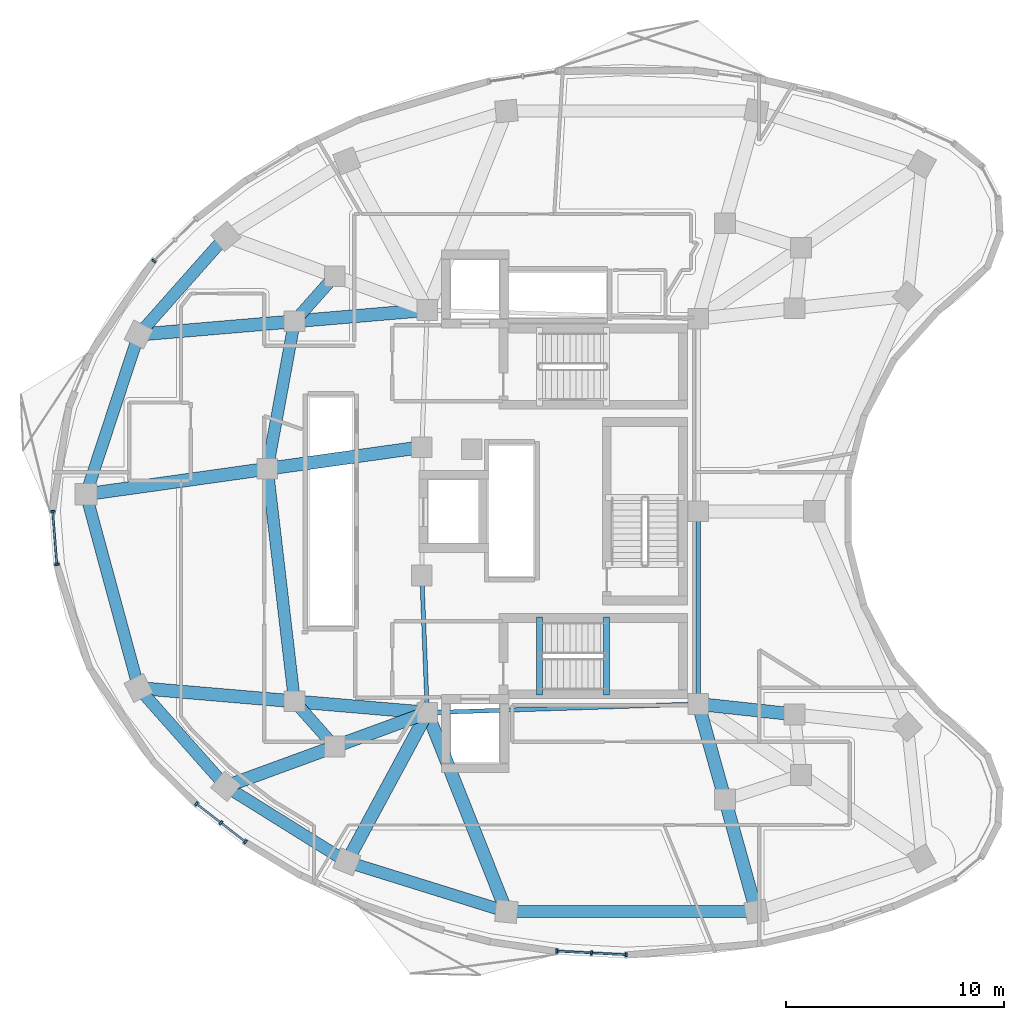
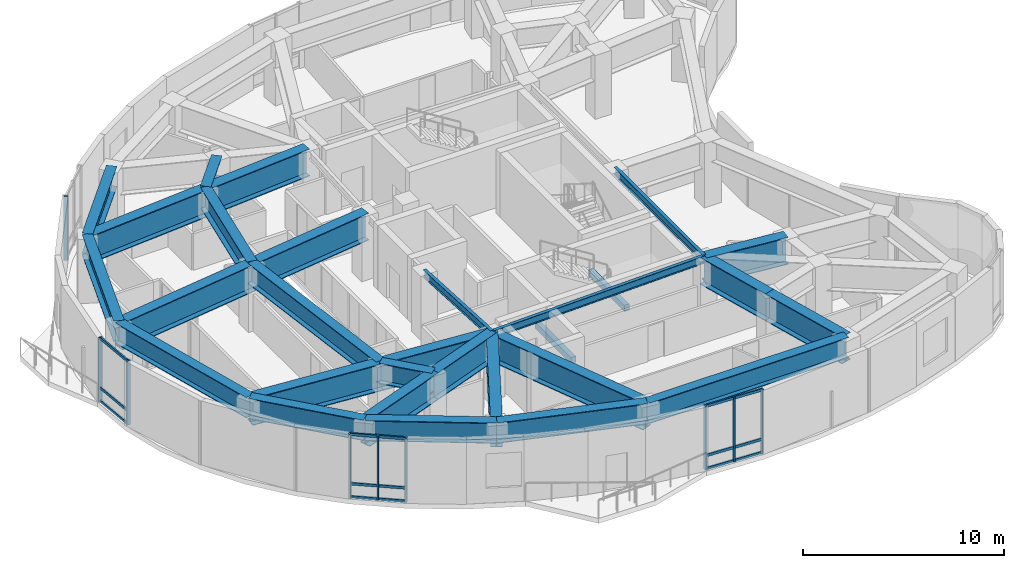
# One storey, part 2 of 12: 29 beams, 24 members, 4 elements without a shape of their own.
"""IFC4 building model written with IfcOpenShell, lengths in metres."""

from ifc_helpers import new_model, si_unit, direction, frame, origin, origin_2d, place, context, subcontext, project, spatial, rectangle, i_section, extrude, material, layer, layer_set, material_profile, profile_set, type_object, element, aggregate, save


model = new_model("IFC4")

# Units and contexts
model_context = context("Model", 3, precision=1e-05, world=origin(), true_north=direction((0.0, 1.0)))
body_context = subcontext(model_context, "Body", "Model", "MODEL_VIEW")
ifc_project = project(units=[si_unit("LENGTHUNIT", "METRE"), si_unit("AREAUNIT", "SQUARE_METRE"), si_unit("VOLUMEUNIT", "CUBIC_METRE"), si_unit("PLANEANGLEUNIT", "RADIAN"), si_unit("MASSUNIT", "GRAM", prefix="KILO")], contexts=[model_context])

# Site, building, storey
site_placement = place(None, origin())
site = spatial("IfcSite", under=ifc_project, at=site_placement, CompositionType="ELEMENT")
building_placement = place(site_placement, origin())
building = spatial("IfcBuilding", under=site, at=building_placement, Name="Korentha Bioscience Tower", CompositionType="ELEMENT")
storey_placement = place(building_placement, frame((0.0, 0.0, 196.199951171875)))
storey = spatial("IfcBuildingStorey", under=building, at=storey_placement, Name="L45", CompositionType="ELEMENT", Elevation=196.199951171875)

# Beams
ifc_material_1 = material(Name="Concrete C50", Category="concrete")
ifc_material_profile_1 = material_profile(ifc_material_1, rectangle(XDim=0.280029296875, YDim=0.3798828125, at=origin_2d()), Name="Concrete C50")
ifc_profile_set_1 = profile_set([ifc_material_profile_1], Name="Concrete C50 (ST-HB380)")
beam_type_1 = type_object("IfcBeamType", Name="Concrete Stair Header Beam RC 280x380", PredefinedType="BEAM", material=ifc_profile_set_1)
for number, where, z_axis, x_axis, name in (
    (1, (30.25, 18.550048828125, -0.18994140625), (0.0, 1.0, 0.0), (-1.0, 0.0, 0.0), "L45 ST-2 Concrete Stair Header Beam"),
    (2, (33.330078125, 18.550048828125, 1.91015625), (0.0, 1.0, 0.0), (-1.0, 0.0, 0.0), "L45 ST-2 Half-Landing Header Beam 1"),
):
    element("IfcBeam", number, at=place(storey_placement, frame(where, z_axis=z_axis, x_axis=x_axis)), inside=storey, type_object=beam_type_1, Name=name, PredefinedType="BEAM", context=body_context, shape_type="SweptSolid", body=[
        extrude(rectangle(XDim=0.280029296875, YDim=0.3798828125, at=origin_2d()), origin(), (0.0, 0.0, 1.0), 3.599853515625),
    ])
ifc_material_2 = material(Name="Steel S355", Category="steel")
ifc_material_profile_2 = material_profile(ifc_material_2, i_section(OverallWidth=0.550048828125, OverallDepth=1.25, WebThickness=0.02392578125, FlangeThickness=0.0400390625, at=origin_2d()), Name="Steel S355")
ifc_profile_set_2 = profile_set([ifc_material_profile_2], Name="Steel S355 (TG-03)")
beam_type_2 = type_object("IfcBeamType", Name="Crown Step Transfer Girder CVS 1250x510", PredefinedType="USERDEFINED", material=ifc_profile_set_2)
beam_1_placement = place(storey_placement, frame((20.84228515625, 37.807861328125, 3.275146484375), z_axis=(-0.663512238321, -0.748165429299, 0.0), x_axis=(0.748165429299, -0.663512238321, 0.0)))
element("IfcBeam", 3, at=beam_1_placement, inside=storey, type_object=beam_type_2, Name="L45 Mid-Ring Tie Girder 05", ObjectType="TRANSFER_GIRDER", PredefinedType="USERDEFINED", context=body_context, shape_type="SweptSolid", body=[
    extrude(i_section(OverallWidth=0.550048828125, OverallDepth=1.25, WebThickness=0.02392578125, FlangeThickness=0.0400390625, at=origin_2d()), origin(), (0.0, 0.0, 1.0), 2.77734375),
])
beam_2_placement = place(storey_placement, frame((18.99951171875, 35.72998046875, 3.275146484375), z_axis=(-0.180880998363, -0.98350498953, 0.0), x_axis=(0.98350498953, -0.180880998363, 0.0)))
element("IfcBeam", 4, at=beam_2_placement, inside=storey, type_object=beam_type_2, Name="L45 Mid-Ring Tie Girder 06", ObjectType="TRANSFER_GIRDER", PredefinedType="USERDEFINED", context=body_context, shape_type="SweptSolid", body=[
    extrude(i_section(OverallWidth=0.550048828125, OverallDepth=1.25, WebThickness=0.02392578125, FlangeThickness=0.0400390625, at=origin_2d()), origin(), (0.0, 0.0, 1.0), 6.888916015625),
])
beam_3_placement = place(storey_placement, frame((17.75341796875, 28.95458984375, 3.275146484375), z_axis=(0.115840395246, -0.993267840428, 0.0), x_axis=(0.993267840428, 0.115840395246, 0.0)))
element("IfcBeam", 5, at=beam_3_placement, inside=storey, type_object=beam_type_2, Name="L45 Mid-Ring Tie Girder 07", ObjectType="TRANSFER_GIRDER", PredefinedType="USERDEFINED", context=body_context, shape_type="SweptSolid", body=[
    extrude(i_section(OverallWidth=0.550048828125, OverallDepth=1.25, WebThickness=0.02392578125, FlangeThickness=0.0400390625, at=origin_2d()), origin(), (0.0, 0.0, 1.0), 10.757080078125),
])
beam_4_placement = place(storey_placement, frame((18.99951171875, 18.27001953125, 3.275146484375), z_axis=(0.663512238321, -0.748165429299, 0.0), x_axis=(0.748165429299, 0.663512238321, 0.0)))
element("IfcBeam", 6, at=beam_4_placement, inside=storey, type_object=beam_type_2, Name="L45 Mid-Ring Tie Girder 08", ObjectType="TRANSFER_GIRDER", PredefinedType="USERDEFINED", context=body_context, shape_type="SweptSolid", body=[
    extrude(i_section(OverallWidth=0.550048828125, OverallDepth=1.25, WebThickness=0.02392578125, FlangeThickness=0.0400390625, at=origin_2d()), origin(), (0.0, 0.0, 1.0), 2.77734375),
])
beam_5_placement = place(storey_placement, frame((15.843994140625, 39.63671875, 3.275146484375), z_axis=(-0.663502544942, -0.748174025782, 0.0), x_axis=(0.748174025782, -0.663502544942, 0.0)))
element("IfcBeam", 7, at=beam_5_placement, inside=storey, type_object=beam_type_2, Name="L45 Perimeter Spandrel Girder 05", ObjectType="TRANSFER_GIRDER", PredefinedType="USERDEFINED", context=body_context, shape_type="SweptSolid", body=[
    extrude(i_section(OverallWidth=0.550048828125, OverallDepth=1.25, WebThickness=0.02392578125, FlangeThickness=0.0400390625, at=origin_2d()), origin(), (0.0, 0.0, 1.0), 6.037841796875),
])
beam_6_placement = place(storey_placement, frame((11.837890625, 35.119384765625, 3.275146484375), z_axis=(-0.312820215824, -0.949812356506, 0.0), x_axis=(0.949812356506, -0.312820215824, 0.0)))
element("IfcBeam", 8, at=beam_6_placement, inside=storey, type_object=beam_type_2, Name="L45 Perimeter Spandrel Girder 06", ObjectType="TRANSFER_GIRDER", PredefinedType="USERDEFINED", context=body_context, shape_type="SweptSolid", body=[
    extrude(i_section(OverallWidth=0.550048828125, OverallDepth=1.25, WebThickness=0.02392578125, FlangeThickness=0.0400390625, at=origin_2d()), origin(), (0.0, 0.0, 1.0), 7.720947265625),
])
beam_7_placement = place(storey_placement, frame((9.422607421875, 27.785888671875, 3.275146484375), z_axis=(0.261762629829, -0.965132284003, 0.0), x_axis=(0.965132284003, 0.261762629829, 0.0)))
element("IfcBeam", 9, at=beam_7_placement, inside=storey, type_object=beam_type_2, Name="L45 Perimeter Spandrel Girder 07", ObjectType="TRANSFER_GIRDER", PredefinedType="USERDEFINED", context=body_context, shape_type="SweptSolid", body=[
    extrude(i_section(OverallWidth=0.550048828125, OverallDepth=1.25, WebThickness=0.02392578125, FlangeThickness=0.0400390625, at=origin_2d()), origin(), (0.0, 0.0, 1.0), 9.22705078125),
])
beam_8_placement = place(storey_placement, frame((11.837890625, 18.880615234375, 3.275146484375), z_axis=(0.663502544942, -0.748174025782, 0.0), x_axis=(0.748174025782, 0.663502544942, 0.0)))
element("IfcBeam", 10, at=beam_8_placement, inside=storey, type_object=beam_type_2, Name="L45 Perimeter Spandrel Girder 08", ObjectType="TRANSFER_GIRDER", PredefinedType="USERDEFINED", context=body_context, shape_type="SweptSolid", body=[
    extrude(i_section(OverallWidth=0.550048828125, OverallDepth=1.25, WebThickness=0.02392578125, FlangeThickness=0.0400390625, at=origin_2d()), origin(), (0.0, 0.0, 1.0), 6.037841796875),
])
beam_9_placement = place(storey_placement, frame((15.843994140625, 14.36328125, 3.275146484375), z_axis=(0.848675740059, -0.528913497876, 0.0), x_axis=(0.528913497876, 0.848675740059, 0.0)))
element("IfcBeam", 11, at=beam_9_placement, inside=storey, type_object=beam_type_2, Name="L45 Perimeter Spandrel Girder 09", ObjectType="TRANSFER_GIRDER", PredefinedType="USERDEFINED", context=body_context, shape_type="SweptSolid", body=[
    extrude(i_section(OverallWidth=0.550048828125, OverallDepth=1.25, WebThickness=0.02392578125, FlangeThickness=0.0400390625, at=origin_2d()), origin(), (0.0, 0.0, 1.0), 6.55322265625),
])
beam_10_placement = place(storey_placement, frame((21.405517578125, 10.897216796875, 3.275146484375), z_axis=(0.954638172607, -0.29776829818, 0.0), x_axis=(0.29776829818, 0.954638172607, 0.0)))
element("IfcBeam", 12, at=beam_10_placement, inside=storey, type_object=beam_type_2, Name="L45 Perimeter Spandrel Girder 10", ObjectType="TRANSFER_GIRDER", PredefinedType="USERDEFINED", context=body_context, shape_type="SweptSolid", body=[
    extrude(i_section(OverallWidth=0.550048828125, OverallDepth=1.25, WebThickness=0.02392578125, FlangeThickness=0.0400390625, at=origin_2d()), origin(), (0.0, 0.0, 1.0), 7.682373046875),
])
beam_11_placement = place(storey_placement, frame((28.739501953125, 8.609619140625, 3.275146484375), z_axis=(0.99999988041, -0.000489059883, 0.0), x_axis=(0.000489059883, 0.99999988041, 0.0)))
element("IfcBeam", 13, at=beam_11_placement, inside=storey, type_object=beam_type_2, Name="L45 Perimeter Spandrel Girder 11", ObjectType="TRANSFER_GIRDER", PredefinedType="USERDEFINED", context=body_context, shape_type="SweptSolid", body=[
    extrude(i_section(OverallWidth=0.550048828125, OverallDepth=1.25, WebThickness=0.02392578125, FlangeThickness=0.0400390625, at=origin_2d()), origin(), (0.0, 0.0, 1.0), 11.481689453125),
])
ifc_material_profile_3 = material_profile(ifc_material_2, i_section(OverallWidth=0.60009765625, OverallDepth=1.64990234375, WebThickness=0.02587890625, FlangeThickness=0.0439453125, at=origin_2d()), Name="Steel S355")
ifc_profile_set_3 = profile_set([ifc_material_profile_3], Name="Steel S355 (TG-04)")
beam_type_3 = type_object("IfcBeamType", Name="Deep Setback Transfer Girder CVS 1650x620", PredefinedType="USERDEFINED", material=ifc_profile_set_3)
beam_12_placement = place(storey_placement, frame((25.10009765625, 36.25, 3.074951171875), z_axis=(-0.996386672138, -0.084932912264, 0.0), x_axis=(0.084932912264, -0.996386672138, 0.0)))
element("IfcBeam", 14, at=beam_12_placement, inside=storey, type_object=beam_type_3, Name="L45 Inner Radial Transfer Girder 06", ObjectType="TRANSFER_GIRDER", PredefinedType="USERDEFINED", context=body_context, shape_type="SweptSolid", body=[
    extrude(i_section(OverallWidth=0.60009765625, OverallDepth=1.64990234375, WebThickness=0.02587890625, FlangeThickness=0.0439453125, at=origin_2d()), origin(), (0.0, 0.0, 1.0), 6.122802734375),
])
beam_13_placement = place(storey_placement, frame((18.99951171875, 35.72998046875, 3.074951171875), z_axis=(-0.996385111181, -0.084951222577, 0.0), x_axis=(0.084951222577, -0.996385111181, 0.0)))
element("IfcBeam", 15, at=beam_13_placement, inside=storey, type_object=beam_type_3, Name="L45 Outer Radial Transfer Girder 06", ObjectType="TRANSFER_GIRDER", PredefinedType="USERDEFINED", context=body_context, shape_type="SweptSolid", body=[
    extrude(i_section(OverallWidth=0.60009765625, OverallDepth=1.64990234375, WebThickness=0.02587890625, FlangeThickness=0.0439453125, at=origin_2d()), origin(), (0.0, 0.0, 1.0), 7.1875),
])
beam_14_placement = place(storey_placement, frame((24.85009765625, 29.949951171875, 3.074951171875), z_axis=(-0.990306724295, -0.138897774699, 0.0), x_axis=(0.138897774699, -0.990306724295, 0.0)))
element("IfcBeam", 16, at=beam_14_placement, inside=storey, type_object=beam_type_3, Name="L45 Inner Radial Transfer Girder 07", ObjectType="TRANSFER_GIRDER", PredefinedType="USERDEFINED", context=body_context, shape_type="SweptSolid", body=[
    extrude(i_section(OverallWidth=0.60009765625, OverallDepth=1.64990234375, WebThickness=0.02587890625, FlangeThickness=0.0439453125, at=origin_2d()), origin(), (0.0, 0.0, 1.0), 7.166259765625),
])
beam_15_placement = place(storey_placement, frame((17.75341796875, 28.95458984375, 3.074951171875), z_axis=(-0.990302735089, -0.138926213782, 0.0), x_axis=(0.138926213782, -0.990302735089, 0.0)))
element("IfcBeam", 17, at=beam_15_placement, inside=storey, type_object=beam_type_3, Name="L45 Outer Radial Transfer Girder 07", ObjectType="TRANSFER_GIRDER", PredefinedType="USERDEFINED", context=body_context, shape_type="SweptSolid", body=[
    extrude(i_section(OverallWidth=0.60009765625, OverallDepth=1.64990234375, WebThickness=0.02587890625, FlangeThickness=0.0439453125, at=origin_2d()), origin(), (0.0, 0.0, 1.0), 8.412353515625),
])
beam_16_placement = place(storey_placement, frame((25.10009765625, 17.75, 3.074951171875), z_axis=(-0.996386672138, 0.084932912264, 0.0), x_axis=(-0.084932912264, -0.996386672138, 0.0)))
element("IfcBeam", 18, at=beam_16_placement, inside=storey, type_object=beam_type_3, Name="L45 Inner Radial Transfer Girder 08", ObjectType="TRANSFER_GIRDER", PredefinedType="USERDEFINED", context=body_context, shape_type="SweptSolid", body=[
    extrude(i_section(OverallWidth=0.60009765625, OverallDepth=1.64990234375, WebThickness=0.02587890625, FlangeThickness=0.0439453125, at=origin_2d()), origin(), (0.0, 0.0, 1.0), 6.122802734375),
])
beam_17_placement = place(storey_placement, frame((18.99951171875, 18.27001953125, 3.074951171875), z_axis=(-0.996385111181, 0.084951222577, 0.0), x_axis=(-0.084951222577, -0.996385111181, 0.0)))
element("IfcBeam", 19, at=beam_17_placement, inside=storey, type_object=beam_type_3, Name="L45 Outer Radial Transfer Girder 08", ObjectType="TRANSFER_GIRDER", PredefinedType="USERDEFINED", context=body_context, shape_type="SweptSolid", body=[
    extrude(i_section(OverallWidth=0.60009765625, OverallDepth=1.64990234375, WebThickness=0.02587890625, FlangeThickness=0.0439453125, at=origin_2d()), origin(), (0.0, 0.0, 1.0), 7.1875),
])
beam_18_placement = place(storey_placement, frame((25.10009765625, 17.75, 3.074951171875), z_axis=(-0.939113952431, -0.343605856105, 0.0), x_axis=(0.343605856105, -0.939113952431, 0.0)))
element("IfcBeam", 20, at=beam_18_placement, inside=storey, type_object=beam_type_3, Name="L45 Inner Radial Transfer Girder 09", ObjectType="TRANSFER_GIRDER", PredefinedType="USERDEFINED", context=body_context, shape_type="SweptSolid", body=[
    extrude(i_section(OverallWidth=0.60009765625, OverallDepth=1.64990234375, WebThickness=0.02587890625, FlangeThickness=0.0439453125, at=origin_2d()), origin(), (0.0, 0.0, 1.0), 4.533935546875),
])
beam_19_placement = place(storey_placement, frame((20.84228515625, 16.192138671875, 3.074951171875), z_axis=(-0.939109855566, -0.343617053097, 0.0), x_axis=(0.343617053097, -0.939109855566, 0.0)))
element("IfcBeam", 21, at=beam_19_placement, inside=storey, type_object=beam_type_3, Name="L45 Outer Radial Transfer Girder 09", ObjectType="TRANSFER_GIRDER", PredefinedType="USERDEFINED", context=body_context, shape_type="SweptSolid", body=[
    extrude(i_section(OverallWidth=0.60009765625, OverallDepth=1.64990234375, WebThickness=0.02587890625, FlangeThickness=0.0439453125, at=origin_2d()), origin(), (0.0, 0.0, 1.0), 5.322265625),
])
beam_20_placement = place(storey_placement, frame((25.10009765625, 17.75, 3.074951171875), z_axis=(-0.474559790141, -0.880223270302, 0.0), x_axis=(0.880223270302, -0.474559790141, 0.0)))
element("IfcBeam", 22, at=beam_20_placement, inside=storey, type_object=beam_type_3, Name="L45 Radial Transfer Girder 10", ObjectType="TRANSFER_GIRDER", PredefinedType="USERDEFINED", context=body_context, shape_type="SweptSolid", body=[
    extrude(i_section(OverallWidth=0.60009765625, OverallDepth=1.64990234375, WebThickness=0.02587890625, FlangeThickness=0.0439453125, at=origin_2d()), origin(), (0.0, 0.0, 1.0), 7.785400390625),
])
beam_21_placement = place(storey_placement, frame((25.10009765625, 17.75, 3.074951171875), z_axis=(0.369922682955, -0.929062542909, 0.0), x_axis=(0.929062542909, 0.369922682955, 0.0)))
element("IfcBeam", 23, at=beam_21_placement, inside=storey, type_object=beam_type_3, Name="L45 Radial Transfer Girder 11", ObjectType="TRANSFER_GIRDER", PredefinedType="USERDEFINED", context=body_context, shape_type="SweptSolid", body=[
    extrude(i_section(OverallWidth=0.60009765625, OverallDepth=1.64990234375, WebThickness=0.02587890625, FlangeThickness=0.0439453125, at=origin_2d()), origin(), (0.0, 0.0, 1.0), 9.83837890625),
])
beam_22_placement = place(storey_placement, frame((37.550048828125, 18.14990234375, 3.074951171875), z_axis=(0.269477001654, -0.963006825303, 0.0), x_axis=(0.963006825303, 0.269477001654, 0.0)))
element("IfcBeam", 24, at=beam_22_placement, inside=storey, type_object=beam_type_3, Name="L45 Inner Radial Transfer Girder 12", ObjectType="TRANSFER_GIRDER", PredefinedType="USERDEFINED", context=body_context, shape_type="SweptSolid", body=[
    extrude(i_section(OverallWidth=0.60009765625, OverallDepth=1.64990234375, WebThickness=0.02587890625, FlangeThickness=0.0439453125, at=origin_2d()), origin(), (0.0, 0.0, 1.0), 4.559814453125),
])
beam_23_placement = place(storey_placement, frame((38.77880859375, 13.7587890625, 3.074951171875), z_axis=(0.269464128344, -0.963010427532, 0.0), x_axis=(0.963010427532, 0.269464128344, 0.0)))
element("IfcBeam", 25, at=beam_23_placement, inside=storey, type_object=beam_type_3, Name="L45 Outer Radial Transfer Girder 12", ObjectType="TRANSFER_GIRDER", PredefinedType="USERDEFINED", context=body_context, shape_type="SweptSolid", body=[
    extrude(i_section(OverallWidth=0.60009765625, OverallDepth=1.64990234375, WebThickness=0.02587890625, FlangeThickness=0.0439453125, at=origin_2d()), origin(), (0.0, 0.0, 1.0), 5.352783203125),
])
beam_24_placement = place(storey_placement, frame((37.550048828125, 18.14990234375, 3.074951171875), z_axis=(0.994118939953, -0.108293735857, 0.0), x_axis=(0.108293735857, 0.994118939953, 0.0)))
element("IfcBeam", 26, at=beam_24_placement, inside=storey, type_object=beam_type_3, Name="L45 Inner Radial Transfer Girder 14", ObjectType="TRANSFER_GIRDER", PredefinedType="USERDEFINED", context=body_context, shape_type="SweptSolid", body=[
    extrude(i_section(OverallWidth=0.60009765625, OverallDepth=1.64990234375, WebThickness=0.02587890625, FlangeThickness=0.0439453125, at=origin_2d()), origin(), (0.0, 0.0, 1.0), 4.4501953125),
])
ifc_material_profile_4 = material_profile(ifc_material_2, i_section(OverallWidth=0.18994140625, OverallDepth=0.45703125, WebThickness=0.009033203125, FlangeThickness=0.014404296875, at=origin_2d()), Name="Steel S355")
ifc_profile_set_4 = profile_set([ifc_material_profile_4], Name="Steel S355 (MB-460)")
beam_type_4 = type_object("IfcBeamType", Name="Mid-Ring Tie Girder W460x74", PredefinedType="BEAM", material=ifc_profile_set_4)
beam_25_placement = place(storey_placement, frame((24.85009765625, 24.050048828125, 3.671630859375), z_axis=(0.039651025576, -0.999213588864, 0.0), x_axis=(0.999213588864, 0.039651025576, 0.0)))
element("IfcBeam", 27, at=beam_25_placement, inside=storey, type_object=beam_type_4, Name="L45 Core Ring Tie Girder 04", PredefinedType="BEAM", context=body_context, shape_type="SweptSolid", body=[
    extrude(i_section(OverallWidth=0.18994140625, OverallDepth=0.45703125, WebThickness=0.009033203125, FlangeThickness=0.014404296875, at=origin_2d()), origin(), (0.0, 0.0, 1.0), 6.304931640625),
])
beam_26_placement = place(storey_placement, frame((25.10009765625, 17.75, 3.671630859375), z_axis=(0.999484526071, 0.032104238723, 0.0), x_axis=(-0.032104238723, 0.999484526071, 0.0)))
element("IfcBeam", 28, at=beam_26_placement, inside=storey, type_object=beam_type_4, Name="L45 Core Ring Tie Girder 05", PredefinedType="BEAM", context=body_context, shape_type="SweptSolid", body=[
    extrude(i_section(OverallWidth=0.18994140625, OverallDepth=0.45703125, WebThickness=0.009033203125, FlangeThickness=0.014404296875, at=origin_2d()), origin(), (0.0, 0.0, 1.0), 12.456298828125),
])
beam_27_placement = place(storey_placement, frame((37.550048828125, 18.14990234375, 3.671630859375), z_axis=(0.0, 1.0, 0.0), x_axis=(-1.0, 0.0, 0.0)))
element("IfcBeam", 29, at=beam_27_placement, inside=storey, type_object=beam_type_4, Name="L45 Core Ring Tie Girder 06", PredefinedType="BEAM", context=body_context, shape_type="SweptSolid", body=[
    extrude(i_section(OverallWidth=0.18994140625, OverallDepth=0.45703125, WebThickness=0.009033203125, FlangeThickness=0.014404296875, at=origin_2d()), origin(), (0.0, 0.0, 1.0), 8.85009765625),
])

# Curtain wall, member
ifc_material_3 = material(Name="Thermally Broken Aluminium Frame", Category="aluminium")
ifc_layer = layer(ifc_material_3, 0.219970703125, Name="Thermally Broken Aluminium Frame")
ifc_layer_set = layer_set([ifc_layer], Name="Thermally Broken Aluminium Frame (CW-T1)")
curtain_wall_type = type_object("IfcCurtainWallType", Name="Standard Bioscience Lab Unitised Curtain Wall CW-T1", PredefinedType="USERDEFINED", material=ifc_layer_set)
curtain_wall_1_placement = place(storey_placement, origin())
curtain_wall_1 = element("IfcCurtainWall", 30, at=curtain_wall_1_placement, inside=storey, type_object=curtain_wall_type, Name="L45 Curtain Wall 13", ObjectType="UNITISED", PredefinedType="USERDEFINED")
ifc_material_4 = material(Name="Anodised Aluminium 6063-T6", Category="aluminium")
ifc_material_profile_5 = material_profile(ifc_material_4, rectangle(XDim=0.090087890625, YDim=0.199951171875, at=origin_2d()), Name="Anodised Aluminium 6063-T6")
ifc_profile_set_5 = profile_set([ifc_material_profile_5], Name="Anodised Aluminium 6063-T6 (CW-MUL)")
member_type_1 = type_object("IfcMemberType", Name="Mullion RECT 90x200", PredefinedType="MULLION", material=ifc_profile_set_5)
member_1_placement = place(storey_placement, frame((12.53515625, 38.502685546875, 0.0), z_axis=(0.0, 0.0, 1.0), x_axis=(-0.711460557971, -0.702726030862, 0.0)))
member_1 = element("IfcMember", 31, at=member_1_placement, type_object=member_type_1, Name="CW-L45-13 Mullion 3", PredefinedType="MULLION", context=body_context, shape_type="SweptSolid", body=[
    extrude(rectangle(XDim=0.090087890625, YDim=0.199951171875, at=origin_2d()), origin(), (0.0, 0.0, 1.0), 3.900146484375),
])
aggregate(curtain_wall_1, [member_1])

# Curtain wall, members
curtain_wall_2_placement = place(storey_placement, origin())
curtain_wall_2 = element("IfcCurtainWall", 32, at=curtain_wall_2_placement, inside=storey, type_object=curtain_wall_type, Name="L45 Curtain Wall 19", ObjectType="UNITISED", PredefinedType="USERDEFINED")
member_2_placement = place(storey_placement, frame((7.89599609375, 27.007568359375, 0.0), z_axis=(0.0, 0.0, 1.0), x_axis=(0.078030772566, -0.996950950916, 0.0)))
member_2 = element("IfcMember", 33, at=member_2_placement, type_object=member_type_1, Name="CW-L45-19 Mullion 1", PredefinedType="MULLION", context=body_context, shape_type="SweptSolid", body=[
    extrude(rectangle(XDim=0.090087890625, YDim=0.199951171875, at=origin_2d()), origin(), (0.0, 0.0, 1.0), 3.900146484375),
])
member_3_placement = place(storey_placement, frame((8.087890625, 24.5546875, 0.0), z_axis=(0.0, 0.0, 1.0), x_axis=(0.078030772566, -0.996950950916, 0.0)))
member_3 = element("IfcMember", 34, at=member_3_placement, type_object=member_type_1, Name="CW-L45-19 Mullion 2", PredefinedType="MULLION", context=body_context, shape_type="SweptSolid", body=[
    extrude(rectangle(XDim=0.090087890625, YDim=0.199951171875, at=origin_2d()), origin(), (0.0, 0.0, 1.0), 3.900146484375),
])

curtain_wall_3_placement = place(storey_placement, origin())
curtain_wall_3 = element("IfcCurtainWall", 35, at=curtain_wall_3_placement, inside=storey, type_object=curtain_wall_type, Name="L45 Curtain Wall 25", ObjectType="UNITISED", PredefinedType="USERDEFINED")
member_4_placement = place(storey_placement, frame((14.492431640625, 13.563232421875, 0.0), z_axis=(0.0, 0.0, 1.0), x_axis=(0.790546796919, -0.612401634454, 0.0)))
member_4 = element("IfcMember", 36, at=member_4_placement, type_object=member_type_1, Name="CW-L45-25 Mullion 1", PredefinedType="MULLION", context=body_context, shape_type="SweptSolid", body=[
    extrude(rectangle(XDim=0.090087890625, YDim=0.199951171875, at=origin_2d()), origin(), (0.0, 0.0, 1.0), 3.900146484375),
])
member_5_placement = place(storey_placement, frame((15.618896484375, 12.690673828125, 0.0), z_axis=(0.0, 0.0, 1.0), x_axis=(0.790546796919, -0.612401634454, 0.0)))
member_5 = element("IfcMember", 37, at=member_5_placement, type_object=member_type_1, Name="CW-L45-25 Mullion 2", PredefinedType="MULLION", context=body_context, shape_type="SweptSolid", body=[
    extrude(rectangle(XDim=0.090087890625, YDim=0.199951171875, at=origin_2d()), origin(), (0.0, 0.0, 1.0), 3.900146484375),
])
member_6_placement = place(storey_placement, frame((16.745361328125, 11.818115234375, 0.0), z_axis=(0.0, 0.0, 1.0), x_axis=(0.790546796919, -0.612401634454, 0.0)))
member_6 = element("IfcMember", 38, at=member_6_placement, type_object=member_type_1, Name="CW-L45-25 Mullion 3", PredefinedType="MULLION", context=body_context, shape_type="SweptSolid", body=[
    extrude(rectangle(XDim=0.090087890625, YDim=0.199951171875, at=origin_2d()), origin(), (0.0, 0.0, 1.0), 3.900146484375),
])

curtain_wall_4_placement = place(storey_placement, origin())
curtain_wall_4 = element("IfcCurtainWall", 39, at=curtain_wall_4_placement, inside=storey, type_object=curtain_wall_type, Name="L45 Curtain Wall 31", ObjectType="UNITISED", PredefinedType="USERDEFINED")
member_7_placement = place(storey_placement, frame((31.0517578125, 6.79541015625, 0.0), z_axis=(0.0, 0.0, 1.0), x_axis=(0.998637677307, -0.052180355139, 0.0)))
member_7 = element("IfcMember", 40, at=member_7_placement, type_object=member_type_1, Name="CW-L45-31 Mullion 1", PredefinedType="MULLION", context=body_context, shape_type="SweptSolid", body=[
    extrude(rectangle(XDim=0.090087890625, YDim=0.199951171875, at=origin_2d()), origin(), (0.0, 0.0, 1.0), 3.900146484375),
])
member_8_placement = place(storey_placement, frame((32.64794921875, 6.7119140625, 0.0), z_axis=(0.0, 0.0, 1.0), x_axis=(0.998637677307, -0.052180355139, 0.0)))
member_8 = element("IfcMember", 41, at=member_8_placement, type_object=member_type_1, Name="CW-L45-31 Mullion 2", PredefinedType="MULLION", context=body_context, shape_type="SweptSolid", body=[
    extrude(rectangle(XDim=0.090087890625, YDim=0.199951171875, at=origin_2d()), origin(), (0.0, 0.0, 1.0), 3.900146484375),
])
member_9_placement = place(storey_placement, frame((34.244140625, 6.628662109375, 0.0), z_axis=(0.0, 0.0, 1.0), x_axis=(0.998637677307, -0.052180355139, 0.0)))
member_9 = element("IfcMember", 42, at=member_9_placement, type_object=member_type_1, Name="CW-L45-31 Mullion 3", PredefinedType="MULLION", context=body_context, shape_type="SweptSolid", body=[
    extrude(rectangle(XDim=0.090087890625, YDim=0.199951171875, at=origin_2d()), origin(), (0.0, 0.0, 1.0), 3.900146484375),
])

# Member
ifc_material_profile_6 = material_profile(ifc_material_4, rectangle(XDim=0.090087890625, YDim=0.159912109375, at=origin_2d()), Name="Anodised Aluminium 6063-T6")
ifc_profile_set_6 = profile_set([ifc_material_profile_6], Name="Anodised Aluminium 6063-T6 (CW-TRN)")
member_type_2 = type_object("IfcMemberType", Name="Transom RECT 90x160", PredefinedType="USERDEFINED", material=ifc_profile_set_6)
member_10_placement = place(storey_placement, frame((7.8994140625, 26.962646484375, 0.045166015625), z_axis=(0.078074822466, -0.996947502177, 0.0), x_axis=(0.996947502177, 0.078074822466, 0.0)))
member_10 = element("IfcMember", 43, at=member_10_placement, type_object=member_type_2, Name="CW-L45-19 Bay 1 Transom 1", ObjectType="TRANSOM", PredefinedType="USERDEFINED", context=body_context, shape_type="SweptSolid", body=[
    extrude(rectangle(XDim=0.090087890625, YDim=0.159912109375, at=origin_2d()), origin(), (0.0, 0.0, 1.0), 2.370361328125),
])

member_11_placement = place(storey_placement, frame((7.8994140625, 26.962646484375, 0.85009765625), z_axis=(0.078074822466, -0.996947502177, 0.0), x_axis=(0.996947502177, 0.078074822466, 0.0)))
member_11 = element("IfcMember", 44, at=member_11_placement, type_object=member_type_2, Name="CW-L45-19 Bay 1 Transom 2", ObjectType="TRANSOM", PredefinedType="USERDEFINED", context=body_context, shape_type="SweptSolid", body=[
    extrude(rectangle(XDim=0.090087890625, YDim=0.159912109375, at=origin_2d()), origin(), (0.0, 0.0, 1.0), 2.370361328125),
])

member_12_placement = place(storey_placement, frame((7.8994140625, 26.962646484375, 3.85498046875), z_axis=(0.078074822466, -0.996947502177, 0.0), x_axis=(0.996947502177, 0.078074822466, 0.0)))
member_12 = element("IfcMember", 45, at=member_12_placement, type_object=member_type_2, Name="CW-L45-19 Bay 1 Transom 3", ObjectType="TRANSOM", PredefinedType="USERDEFINED", context=body_context, shape_type="SweptSolid", body=[
    extrude(rectangle(XDim=0.090087890625, YDim=0.159912109375, at=origin_2d()), origin(), (0.0, 0.0, 1.0), 2.370361328125),
])

aggregate(curtain_wall_2, [member_2, member_3, member_10, member_11, member_12])

member_13_placement = place(storey_placement, frame((14.528076171875, 13.535888671875, 0.045166015625), z_axis=(0.790463754503, -0.612508818563, 0.0), x_axis=(0.612508818563, 0.790463754503, 0.0)))
member_13 = element("IfcMember", 46, at=member_13_placement, type_object=member_type_2, Name="CW-L45-25 Bay 1 Transom 1", ObjectType="TRANSOM", PredefinedType="USERDEFINED", context=body_context, shape_type="SweptSolid", body=[
    extrude(rectangle(XDim=0.090087890625, YDim=0.159912109375, at=origin_2d()), origin(), (0.0, 0.0, 1.0), 1.3349609375),
])

member_14_placement = place(storey_placement, frame((14.528076171875, 13.535888671875, 0.85009765625), z_axis=(0.790463754503, -0.612508818563, 0.0), x_axis=(0.612508818563, 0.790463754503, 0.0)))
member_14 = element("IfcMember", 47, at=member_14_placement, type_object=member_type_2, Name="CW-L45-25 Bay 1 Transom 2", ObjectType="TRANSOM", PredefinedType="USERDEFINED", context=body_context, shape_type="SweptSolid", body=[
    extrude(rectangle(XDim=0.090087890625, YDim=0.159912109375, at=origin_2d()), origin(), (0.0, 0.0, 1.0), 1.3349609375),
])

member_15_placement = place(storey_placement, frame((14.528076171875, 13.535888671875, 3.85498046875), z_axis=(0.790463754503, -0.612508818563, 0.0), x_axis=(0.612508818563, 0.790463754503, 0.0)))
member_15 = element("IfcMember", 48, at=member_15_placement, type_object=member_type_2, Name="CW-L45-25 Bay 1 Transom 3", ObjectType="TRANSOM", PredefinedType="USERDEFINED", context=body_context, shape_type="SweptSolid", body=[
    extrude(rectangle(XDim=0.090087890625, YDim=0.159912109375, at=origin_2d()), origin(), (0.0, 0.0, 1.0), 1.3349609375),
])

member_16_placement = place(storey_placement, frame((15.654541015625, 12.6630859375, 0.045166015625), z_axis=(0.79055230676, -0.612394521756, 0.0), x_axis=(0.612394521756, 0.79055230676, 0.0)))
member_16 = element("IfcMember", 49, at=member_16_placement, type_object=member_type_2, Name="CW-L45-25 Bay 2 Transom 1", ObjectType="TRANSOM", PredefinedType="USERDEFINED", context=body_context, shape_type="SweptSolid", body=[
    extrude(rectangle(XDim=0.090087890625, YDim=0.159912109375, at=origin_2d()), origin(), (0.0, 0.0, 1.0), 1.334716796875),
])

member_17_placement = place(storey_placement, frame((15.654541015625, 12.6630859375, 0.85009765625), z_axis=(0.79055230676, -0.612394521756, 0.0), x_axis=(0.612394521756, 0.79055230676, 0.0)))
member_17 = element("IfcMember", 50, at=member_17_placement, type_object=member_type_2, Name="CW-L45-25 Bay 2 Transom 2", ObjectType="TRANSOM", PredefinedType="USERDEFINED", context=body_context, shape_type="SweptSolid", body=[
    extrude(rectangle(XDim=0.090087890625, YDim=0.159912109375, at=origin_2d()), origin(), (0.0, 0.0, 1.0), 1.334716796875),
])

member_18_placement = place(storey_placement, frame((15.654541015625, 12.6630859375, 3.85498046875), z_axis=(0.79055230676, -0.612394521756, 0.0), x_axis=(0.612394521756, 0.79055230676, 0.0)))
member_18 = element("IfcMember", 51, at=member_18_placement, type_object=member_type_2, Name="CW-L45-25 Bay 2 Transom 3", ObjectType="TRANSOM", PredefinedType="USERDEFINED", context=body_context, shape_type="SweptSolid", body=[
    extrude(rectangle(XDim=0.090087890625, YDim=0.159912109375, at=origin_2d()), origin(), (0.0, 0.0, 1.0), 1.334716796875),
])

aggregate(curtain_wall_3, [member_4, member_5, member_6, member_13, member_14, member_15, member_16, member_17, member_18])

member_19_placement = place(storey_placement, frame((31.0966796875, 6.793212890625, 0.045166015625), z_axis=(0.998632544532, -0.052278494633, 0.0), x_axis=(0.052278494633, 0.998632544532, 0.0)))
member_19 = element("IfcMember", 52, at=member_19_placement, type_object=member_type_2, Name="CW-L45-31 Bay 1 Transom 1", ObjectType="TRANSOM", PredefinedType="USERDEFINED", context=body_context, shape_type="SweptSolid", body=[
    extrude(rectangle(XDim=0.090087890625, YDim=0.159912109375, at=origin_2d()), origin(), (0.0, 0.0, 1.0), 1.50830078125),
])

member_20_placement = place(storey_placement, frame((31.0966796875, 6.793212890625, 0.85009765625), z_axis=(0.998632544532, -0.052278494633, 0.0), x_axis=(0.052278494633, 0.998632544532, 0.0)))
member_20 = element("IfcMember", 53, at=member_20_placement, type_object=member_type_2, Name="CW-L45-31 Bay 1 Transom 2", ObjectType="TRANSOM", PredefinedType="USERDEFINED", context=body_context, shape_type="SweptSolid", body=[
    extrude(rectangle(XDim=0.090087890625, YDim=0.159912109375, at=origin_2d()), origin(), (0.0, 0.0, 1.0), 1.50830078125),
])

member_21_placement = place(storey_placement, frame((31.0966796875, 6.793212890625, 3.85498046875), z_axis=(0.998632544532, -0.052278494633, 0.0), x_axis=(0.052278494633, 0.998632544532, 0.0)))
member_21 = element("IfcMember", 54, at=member_21_placement, type_object=member_type_2, Name="CW-L45-31 Bay 1 Transom 3", ObjectType="TRANSOM", PredefinedType="USERDEFINED", context=body_context, shape_type="SweptSolid", body=[
    extrude(rectangle(XDim=0.090087890625, YDim=0.159912109375, at=origin_2d()), origin(), (0.0, 0.0, 1.0), 1.50830078125),
])

member_22_placement = place(storey_placement, frame((32.69287109375, 6.709716796875, 0.045166015625), z_axis=(0.998640981416, -0.052117082012, 0.0), x_axis=(0.052117082012, 0.998640981416, 0.0)))
member_22 = element("IfcMember", 55, at=member_22_placement, type_object=member_type_2, Name="CW-L45-31 Bay 2 Transom 1", ObjectType="TRANSOM", PredefinedType="USERDEFINED", context=body_context, shape_type="SweptSolid", body=[
    extrude(rectangle(XDim=0.090087890625, YDim=0.159912109375, at=origin_2d()), origin(), (0.0, 0.0, 1.0), 1.50830078125),
])

member_23_placement = place(storey_placement, frame((32.69287109375, 6.709716796875, 0.85009765625), z_axis=(0.998640981416, -0.052117082012, 0.0), x_axis=(0.052117082012, 0.998640981416, 0.0)))
member_23 = element("IfcMember", 56, at=member_23_placement, type_object=member_type_2, Name="CW-L45-31 Bay 2 Transom 2", ObjectType="TRANSOM", PredefinedType="USERDEFINED", context=body_context, shape_type="SweptSolid", body=[
    extrude(rectangle(XDim=0.090087890625, YDim=0.159912109375, at=origin_2d()), origin(), (0.0, 0.0, 1.0), 1.50830078125),
])

member_24_placement = place(storey_placement, frame((32.69287109375, 6.709716796875, 3.85498046875), z_axis=(0.998640981416, -0.052117082012, 0.0), x_axis=(0.052117082012, 0.998640981416, 0.0)))
member_24 = element("IfcMember", 57, at=member_24_placement, type_object=member_type_2, Name="CW-L45-31 Bay 2 Transom 3", ObjectType="TRANSOM", PredefinedType="USERDEFINED", context=body_context, shape_type="SweptSolid", body=[
    extrude(rectangle(XDim=0.090087890625, YDim=0.159912109375, at=origin_2d()), origin(), (0.0, 0.0, 1.0), 1.50830078125),
])

aggregate(curtain_wall_4, [member_7, member_8, member_9, member_19, member_20, member_21, member_22, member_23, member_24])

save(model, "model.ifc")
